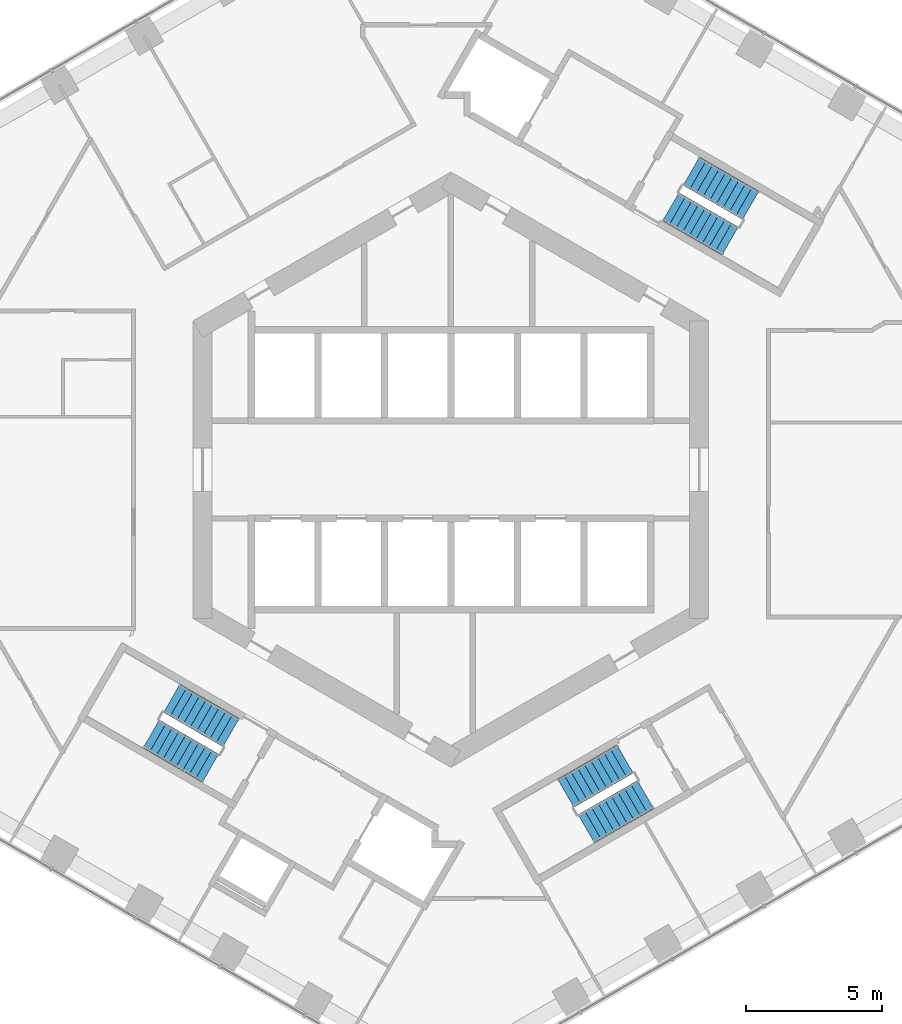
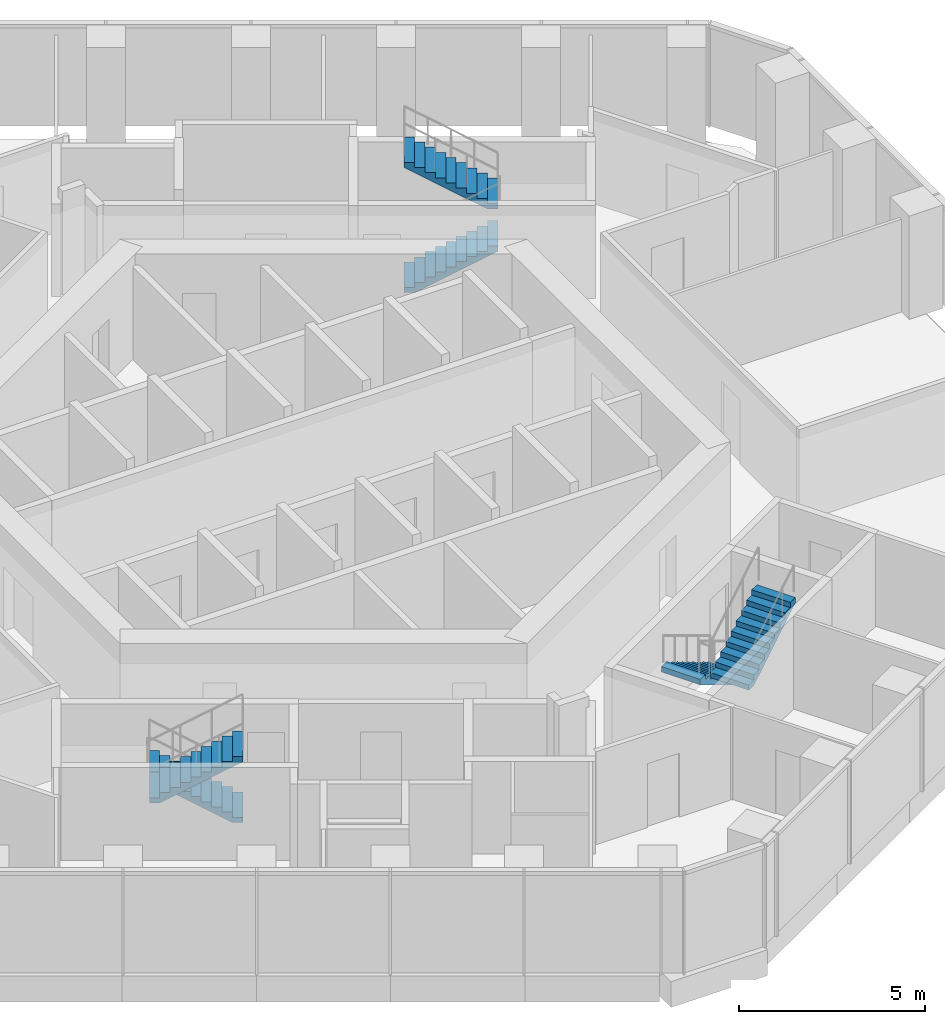
# One storey, part 17 of 19: 6 stair flights, 3 elements without a shape of their own.
"""IFC4 building model written with IfcOpenShell, lengths in metres."""

from ifc_helpers import new_model, si_unit, direction, frame, origin, place, context, subcontext, project, spatial, triangles, material, type_object, element, aggregate, save


model = new_model("IFC4")

# Units and contexts
model_context = context("Model", 3, precision=1e-05, world=origin(), true_north=direction((0.0, 1.0)))
body_context = subcontext(model_context, "Body", "Model", "MODEL_VIEW")
ifc_project = project(units=[si_unit("LENGTHUNIT", "METRE"), si_unit("AREAUNIT", "SQUARE_METRE"), si_unit("VOLUMEUNIT", "CUBIC_METRE"), si_unit("PLANEANGLEUNIT", "RADIAN"), si_unit("MASSUNIT", "GRAM", prefix="KILO")], contexts=[model_context])

# Site, building, storey
site_placement = place(None, origin())
site = spatial("IfcSite", under=ifc_project, at=site_placement, CompositionType="ELEMENT")
building_placement = place(site_placement, origin())
building = spatial("IfcBuilding", under=site, at=building_placement, Name="Ayvan Gate Tower", CompositionType="ELEMENT")
storey_placement = place(building_placement, frame((0.0, 0.0, 106.89990234375)))
storey = spatial("IfcBuildingStorey", under=building, at=storey_placement, Name="L28", CompositionType="ELEMENT", Elevation=106.89990234375)

# Stair, stair flights
ifc_material = material(Name="Concrete C40/50", Category="concrete")
stair_type = type_object("IfcStairType", Name="ST-EXIT", PredefinedType="HALF_TURN_STAIR", material=ifc_material)
stair_1_placement = place(storey_placement, origin())
stair_1 = element("IfcStair", 1, at=stair_1_placement, inside=storey, type_object=stair_type, Name="L28 Exit Stair S1", PredefinedType="HALF_TURN_STAIR")
stair_flight_type = type_object("IfcStairFlightType", Name="SFL-EXIT", PredefinedType="STRAIGHT", material=ifc_material)
stair_flight_1_placement = place(storey_placement, frame((8.106201171875, 9.690185546875, 0.0), z_axis=(0.0, 0.0, 1.0), x_axis=(0.866025403784, -0.5, 0.0)))
stair_flight_1 = element("IfcStairFlight", 2, at=stair_flight_1_placement, type_object=stair_flight_type, Name="STS1 flight 1", NumberOfRisers=10, NumberOfTreads=9, PredefinedType="STRAIGHT", RiserHeight=0.17, TreadLength=0.28, context=body_context, shape_type="Tessellation", body=[
    triangles([(0.288841, -0.599976, 0.0), (2.5205, -0.599976, 1.354936), (2.5205, -0.599976, 1.53), (2.24, -0.599976, 1.53), (2.24, -0.599976, 1.36), (1.96, -0.599976, 1.36), (1.96, -0.599976, 1.19), (1.68, -0.599976, 1.19), (1.68, -0.599976, 1.02), (1.4, -0.599976, 1.02), (1.4, -0.599976, 0.85), (1.12, -0.599976, 0.85), (1.12, -0.599976, 0.68), (0.84, -0.599976, 0.68), (0.84, -0.599976, 0.51), (0.56, -0.599976, 0.51), (0.56, -0.599976, 0.34), (0.28, -0.599976, 0.34), (0.28, -0.599976, 0.17), (-0.0005, -0.599976, 0.17), (-0.0005, -0.599976, 0.0), (0.288841, 0.0, 0.0), (2.5205, 0.0, 1.354936), (2.5205, 0.0, 1.53), (2.24, 0.0, 1.53), (2.24, 0.0, 1.36), (1.96, 0.0, 1.36), (1.96, 0.0, 1.19), (1.68, 0.0, 1.19), (1.68, 0.0, 1.02), (1.4, 0.0, 1.02), (1.4, 0.0, 0.85), (1.12, 0.0, 0.85), (1.12, 0.0, 0.68), (0.84, 0.0, 0.68), (0.84, 0.0, 0.51), (0.56, 0.0, 0.51), (0.56, 0.0, 0.34), (0.28, 0.0, 0.34), (0.28, 0.0, 0.17), (-0.0005, 0.0, 0.17), (-0.0005, 0.0, 0.0), (0.288841, 0.599976, 0.0), (2.5205, 0.599976, 1.354936), (2.5205, 0.599976, 1.53), (2.24, 0.599976, 1.53), (2.24, 0.599976, 1.36), (1.96, 0.599976, 1.36), (1.96, 0.599976, 1.19), (1.68, 0.599976, 1.19), (1.68, 0.599976, 1.02), (1.4, 0.599976, 1.02), (1.4, 0.599976, 0.85), (1.12, 0.599976, 0.85), (1.12, 0.599976, 0.68), (0.84, 0.599976, 0.68), (0.84, 0.599976, 0.51), (0.56, 0.599976, 0.51), (0.56, 0.599976, 0.34), (0.28, 0.599976, 0.34), (0.28, 0.599976, 0.17), (-0.0005, 0.599976, 0.17), (-0.0005, 0.599976, 0.0)], [[21, 1, 2], [63, 44, 43], [2, 3, 4], [44, 46, 45], [2, 4, 5], [44, 47, 46], [2, 5, 6], [44, 48, 47], [2, 6, 7], [44, 49, 48], [7, 8, 9], [49, 51, 50], [2, 7, 9], [44, 51, 49], [9, 10, 11], [51, 53, 52], [2, 9, 11], [44, 53, 51], [11, 12, 13], [53, 55, 54], [2, 11, 13], [44, 55, 53], [13, 14, 15], [55, 57, 56], [2, 13, 15], [44, 57, 55], [15, 16, 17], [57, 59, 58], [2, 15, 17], [44, 59, 57], [17, 18, 19], [59, 61, 60], [2, 17, 19], [44, 61, 59], [21, 2, 19], [63, 61, 44], [19, 20, 21], [61, 63, 62], [1, 22, 23], [1, 23, 2], [43, 23, 22], [43, 44, 23], [2, 23, 24], [2, 24, 3], [44, 24, 23], [44, 45, 24], [3, 24, 25], [3, 25, 4], [45, 25, 24], [45, 46, 25], [4, 25, 26], [4, 26, 5], [46, 26, 25], [46, 47, 26], [5, 26, 27], [5, 27, 6], [47, 27, 26], [47, 48, 27], [6, 27, 28], [6, 28, 7], [48, 28, 27], [48, 49, 28], [7, 28, 29], [7, 29, 8], [49, 29, 28], [49, 50, 29], [8, 29, 30], [8, 30, 9], [50, 30, 29], [50, 51, 30], [9, 30, 31], [9, 31, 10], [51, 31, 30], [51, 52, 31], [10, 31, 32], [10, 32, 11], [52, 32, 31], [52, 53, 32], [11, 32, 33], [11, 33, 12], [53, 33, 32], [53, 54, 33], [12, 33, 34], [12, 34, 13], [54, 34, 33], [54, 55, 34], [13, 34, 35], [13, 35, 14], [55, 35, 34], [55, 56, 35], [14, 35, 36], [14, 36, 15], [56, 36, 35], [56, 57, 36], [15, 36, 37], [15, 37, 16], [57, 37, 36], [57, 58, 37], [16, 37, 38], [16, 38, 17], [58, 38, 37], [58, 59, 38], [17, 38, 39], [17, 39, 18], [59, 39, 38], [59, 60, 39], [18, 39, 40], [18, 40, 19], [60, 40, 39], [60, 61, 40], [19, 40, 41], [19, 41, 20], [61, 41, 40], [61, 62, 41], [20, 41, 42], [20, 42, 21], [62, 42, 41], [62, 63, 42], [21, 42, 22], [21, 22, 1], [63, 22, 42], [63, 43, 22]], closed=True),
])
stair_flight_2_placement = place(storey_placement, frame((11.04345703125, 9.73779296875, 1.7001953125), z_axis=(0.0, 0.0, 1.0), x_axis=(-0.866025403784, 0.5, 0.0)))
stair_flight_2 = element("IfcStairFlight", 3, at=stair_flight_2_placement, type_object=stair_flight_type, Name="STS1 flight 2", NumberOfRisers=10, NumberOfTreads=9, PredefinedType="STRAIGHT", RiserHeight=0.17, TreadLength=0.28, context=body_context, shape_type="Tessellation", body=[
    triangles([(0.288841, -0.599976, 0.0), (2.5205, -0.599976, 1.354936), (2.5205, -0.599976, 1.53), (2.24, -0.599976, 1.53), (2.24, -0.599976, 1.36), (1.96, -0.599976, 1.36), (1.96, -0.599976, 1.19), (1.68, -0.599976, 1.19), (1.68, -0.599976, 1.02), (1.4, -0.599976, 1.02), (1.4, -0.599976, 0.85), (1.12, -0.599976, 0.85), (1.12, -0.599976, 0.68), (0.84, -0.599976, 0.68), (0.84, -0.599976, 0.51), (0.56, -0.599976, 0.51), (0.56, -0.599976, 0.34), (0.28, -0.599976, 0.34), (0.28, -0.599976, 0.17), (-0.0005, -0.599976, 0.17), (-0.0005, -0.599976, 0.0), (0.288841, 0.0, 0.0), (2.5205, 0.0, 1.354936), (2.5205, 0.0, 1.53), (2.24, 0.0, 1.53), (2.24, 0.0, 1.36), (1.96, 0.0, 1.36), (1.96, 0.0, 1.19), (1.68, 0.0, 1.19), (1.68, 0.0, 1.02), (1.4, 0.0, 1.02), (1.4, 0.0, 0.85), (1.12, 0.0, 0.85), (1.12, 0.0, 0.68), (0.84, 0.0, 0.68), (0.84, 0.0, 0.51), (0.56, 0.0, 0.51), (0.56, 0.0, 0.34), (0.28, 0.0, 0.34), (0.28, 0.0, 0.17), (-0.0005, 0.0, 0.17), (-0.0005, 0.0, 0.0), (0.288841, 0.599976, 0.0), (2.5205, 0.599976, 1.354936), (2.5205, 0.599976, 1.53), (2.24, 0.599976, 1.53), (2.24, 0.599976, 1.36), (1.96, 0.599976, 1.36), (1.96, 0.599976, 1.19), (1.68, 0.599976, 1.19), (1.68, 0.599976, 1.02), (1.4, 0.599976, 1.02), (1.4, 0.599976, 0.85), (1.12, 0.599976, 0.85), (1.12, 0.599976, 0.68), (0.84, 0.599976, 0.68), (0.84, 0.599976, 0.51), (0.56, 0.599976, 0.51), (0.56, 0.599976, 0.34), (0.28, 0.599976, 0.34), (0.28, 0.599976, 0.17), (-0.0005, 0.599976, 0.17), (-0.0005, 0.599976, 0.0)], [[21, 1, 2], [63, 44, 43], [2, 3, 4], [44, 46, 45], [2, 4, 5], [44, 47, 46], [2, 5, 6], [44, 48, 47], [2, 6, 7], [44, 49, 48], [7, 8, 9], [49, 51, 50], [2, 7, 9], [44, 51, 49], [9, 10, 11], [51, 53, 52], [2, 9, 11], [44, 53, 51], [11, 12, 13], [53, 55, 54], [2, 11, 13], [44, 55, 53], [13, 14, 15], [55, 57, 56], [2, 13, 15], [44, 57, 55], [15, 16, 17], [57, 59, 58], [2, 15, 17], [44, 59, 57], [17, 18, 19], [59, 61, 60], [2, 17, 19], [44, 61, 59], [21, 2, 19], [63, 61, 44], [19, 20, 21], [61, 63, 62], [1, 22, 23], [1, 23, 2], [43, 23, 22], [43, 44, 23], [2, 23, 24], [2, 24, 3], [44, 24, 23], [44, 45, 24], [3, 24, 25], [3, 25, 4], [45, 25, 24], [45, 46, 25], [4, 25, 26], [4, 26, 5], [46, 26, 25], [46, 47, 26], [5, 26, 27], [5, 27, 6], [47, 27, 26], [47, 48, 27], [6, 27, 28], [6, 28, 7], [48, 28, 27], [48, 49, 28], [7, 28, 29], [7, 29, 8], [49, 29, 28], [49, 50, 29], [8, 29, 30], [8, 30, 9], [50, 30, 29], [50, 51, 30], [9, 30, 31], [9, 31, 10], [51, 31, 30], [51, 52, 31], [10, 31, 32], [10, 32, 11], [52, 32, 31], [52, 53, 32], [11, 32, 33], [11, 33, 12], [53, 33, 32], [53, 54, 33], [12, 33, 34], [12, 34, 13], [54, 34, 33], [54, 55, 34], [13, 34, 35], [13, 35, 14], [55, 35, 34], [55, 56, 35], [14, 35, 36], [14, 36, 15], [56, 36, 35], [56, 57, 36], [15, 36, 37], [15, 37, 16], [57, 37, 36], [57, 58, 37], [16, 37, 38], [16, 38, 17], [58, 38, 37], [58, 59, 38], [17, 38, 39], [17, 39, 18], [59, 39, 38], [59, 60, 39], [18, 39, 40], [18, 40, 19], [60, 40, 39], [60, 61, 40], [19, 40, 41], [19, 41, 20], [61, 41, 40], [61, 62, 41], [20, 41, 42], [20, 42, 21], [62, 42, 41], [62, 63, 42], [21, 42, 22], [21, 22, 1], [63, 22, 42], [63, 43, 22]], closed=True),
])
aggregate(stair_1, [stair_flight_1, stair_flight_2])

stair_2_placement = place(storey_placement, origin())
stair_2 = element("IfcStair", 4, at=stair_2_placement, inside=storey, type_object=stair_type, Name="L28 Exit Stair S2", PredefinedType="HALF_TURN_STAIR")
stair_flight_3_placement = place(storey_placement, frame((-8.106201171875, -9.690185546875, 0.0), z_axis=(0.0, 0.0, 1.0), x_axis=(-0.866025403784, 0.5, 0.0)))
stair_flight_3 = element("IfcStairFlight", 5, at=stair_flight_3_placement, type_object=stair_flight_type, Name="STS2 flight 1", NumberOfRisers=10, NumberOfTreads=9, PredefinedType="STRAIGHT", RiserHeight=0.17, TreadLength=0.28, context=body_context, shape_type="Tessellation", body=[
    triangles([(0.288841, -0.599976, 0.0), (2.5205, -0.599976, 1.354936), (2.5205, -0.599976, 1.53), (2.24, -0.599976, 1.53), (2.24, -0.599976, 1.36), (1.96, -0.599976, 1.36), (1.96, -0.599976, 1.19), (1.68, -0.599976, 1.19), (1.68, -0.599976, 1.02), (1.4, -0.599976, 1.02), (1.4, -0.599976, 0.85), (1.12, -0.599976, 0.85), (1.12, -0.599976, 0.68), (0.84, -0.599976, 0.68), (0.84, -0.599976, 0.51), (0.56, -0.599976, 0.51), (0.56, -0.599976, 0.34), (0.28, -0.599976, 0.34), (0.28, -0.599976, 0.17), (-0.0005, -0.599976, 0.17), (-0.0005, -0.599976, 0.0), (0.288841, 0.0, 0.0), (2.5205, 0.0, 1.354936), (2.5205, 0.0, 1.53), (2.24, 0.0, 1.53), (2.24, 0.0, 1.36), (1.96, 0.0, 1.36), (1.96, 0.0, 1.19), (1.68, 0.0, 1.19), (1.68, 0.0, 1.02), (1.4, 0.0, 1.02), (1.4, 0.0, 0.85), (1.12, 0.0, 0.85), (1.12, 0.0, 0.68), (0.84, 0.0, 0.68), (0.84, 0.0, 0.51), (0.56, 0.0, 0.51), (0.56, 0.0, 0.34), (0.28, 0.0, 0.34), (0.28, 0.0, 0.17), (-0.0005, 0.0, 0.17), (-0.0005, 0.0, 0.0), (0.288841, 0.599976, 0.0), (2.5205, 0.599976, 1.354936), (2.5205, 0.599976, 1.53), (2.24, 0.599976, 1.53), (2.24, 0.599976, 1.36), (1.96, 0.599976, 1.36), (1.96, 0.599976, 1.19), (1.68, 0.599976, 1.19), (1.68, 0.599976, 1.02), (1.4, 0.599976, 1.02), (1.4, 0.599976, 0.85), (1.12, 0.599976, 0.85), (1.12, 0.599976, 0.68), (0.84, 0.599976, 0.68), (0.84, 0.599976, 0.51), (0.56, 0.599976, 0.51), (0.56, 0.599976, 0.34), (0.28, 0.599976, 0.34), (0.28, 0.599976, 0.17), (-0.0005, 0.599976, 0.17), (-0.0005, 0.599976, 0.0)], [[21, 1, 2], [63, 44, 43], [2, 3, 4], [44, 46, 45], [2, 4, 5], [44, 47, 46], [2, 5, 6], [44, 48, 47], [2, 6, 7], [44, 49, 48], [7, 8, 9], [49, 51, 50], [2, 7, 9], [44, 51, 49], [9, 10, 11], [51, 53, 52], [2, 9, 11], [44, 53, 51], [11, 12, 13], [53, 55, 54], [2, 11, 13], [44, 55, 53], [13, 14, 15], [55, 57, 56], [2, 13, 15], [44, 57, 55], [15, 16, 17], [57, 59, 58], [2, 15, 17], [44, 59, 57], [17, 18, 19], [59, 61, 60], [2, 17, 19], [44, 61, 59], [21, 2, 19], [63, 61, 44], [19, 20, 21], [61, 63, 62], [1, 22, 23], [1, 23, 2], [43, 23, 22], [43, 44, 23], [2, 23, 24], [2, 24, 3], [44, 24, 23], [44, 45, 24], [3, 24, 25], [3, 25, 4], [45, 25, 24], [45, 46, 25], [4, 25, 26], [4, 26, 5], [46, 26, 25], [46, 47, 26], [5, 26, 27], [5, 27, 6], [47, 27, 26], [47, 48, 27], [6, 27, 28], [6, 28, 7], [48, 28, 27], [48, 49, 28], [7, 28, 29], [7, 29, 8], [49, 29, 28], [49, 50, 29], [8, 29, 30], [8, 30, 9], [50, 30, 29], [50, 51, 30], [9, 30, 31], [9, 31, 10], [51, 31, 30], [51, 52, 31], [10, 31, 32], [10, 32, 11], [52, 32, 31], [52, 53, 32], [11, 32, 33], [11, 33, 12], [53, 33, 32], [53, 54, 33], [12, 33, 34], [12, 34, 13], [54, 34, 33], [54, 55, 34], [13, 34, 35], [13, 35, 14], [55, 35, 34], [55, 56, 35], [14, 35, 36], [14, 36, 15], [56, 36, 35], [56, 57, 36], [15, 36, 37], [15, 37, 16], [57, 37, 36], [57, 58, 37], [16, 37, 38], [16, 38, 17], [58, 38, 37], [58, 59, 38], [17, 38, 39], [17, 39, 18], [59, 39, 38], [59, 60, 39], [18, 39, 40], [18, 40, 19], [60, 40, 39], [60, 61, 40], [19, 40, 41], [19, 41, 20], [61, 41, 40], [61, 62, 41], [20, 41, 42], [20, 42, 21], [62, 42, 41], [62, 63, 42], [21, 42, 22], [21, 22, 1], [63, 22, 42], [63, 43, 22]], closed=True),
])
stair_flight_4_placement = place(storey_placement, frame((-11.04345703125, -9.73779296875, 1.7001953125), z_axis=(0.0, 0.0, 1.0), x_axis=(0.866025403784, -0.5, 0.0)))
stair_flight_4 = element("IfcStairFlight", 6, at=stair_flight_4_placement, type_object=stair_flight_type, Name="STS2 flight 2", NumberOfRisers=10, NumberOfTreads=9, PredefinedType="STRAIGHT", RiserHeight=0.17, TreadLength=0.28, context=body_context, shape_type="Tessellation", body=[
    triangles([(0.288841, -0.599976, 0.0), (2.5205, -0.599976, 1.354936), (2.5205, -0.599976, 1.53), (2.24, -0.599976, 1.53), (2.24, -0.599976, 1.36), (1.96, -0.599976, 1.36), (1.96, -0.599976, 1.19), (1.68, -0.599976, 1.19), (1.68, -0.599976, 1.02), (1.4, -0.599976, 1.02), (1.4, -0.599976, 0.85), (1.12, -0.599976, 0.85), (1.12, -0.599976, 0.68), (0.84, -0.599976, 0.68), (0.84, -0.599976, 0.51), (0.56, -0.599976, 0.51), (0.56, -0.599976, 0.34), (0.28, -0.599976, 0.34), (0.28, -0.599976, 0.17), (-0.0005, -0.599976, 0.17), (-0.0005, -0.599976, 0.0), (0.288841, 0.0, 0.0), (2.5205, 0.0, 1.354936), (2.5205, 0.0, 1.53), (2.24, 0.0, 1.53), (2.24, 0.0, 1.36), (1.96, 0.0, 1.36), (1.96, 0.0, 1.19), (1.68, 0.0, 1.19), (1.68, 0.0, 1.02), (1.4, 0.0, 1.02), (1.4, 0.0, 0.85), (1.12, 0.0, 0.85), (1.12, 0.0, 0.68), (0.84, 0.0, 0.68), (0.84, 0.0, 0.51), (0.56, 0.0, 0.51), (0.56, 0.0, 0.34), (0.28, 0.0, 0.34), (0.28, 0.0, 0.17), (-0.0005, 0.0, 0.17), (-0.0005, 0.0, 0.0), (0.288841, 0.599976, 0.0), (2.5205, 0.599976, 1.354936), (2.5205, 0.599976, 1.53), (2.24, 0.599976, 1.53), (2.24, 0.599976, 1.36), (1.96, 0.599976, 1.36), (1.96, 0.599976, 1.19), (1.68, 0.599976, 1.19), (1.68, 0.599976, 1.02), (1.4, 0.599976, 1.02), (1.4, 0.599976, 0.85), (1.12, 0.599976, 0.85), (1.12, 0.599976, 0.68), (0.84, 0.599976, 0.68), (0.84, 0.599976, 0.51), (0.56, 0.599976, 0.51), (0.56, 0.599976, 0.34), (0.28, 0.599976, 0.34), (0.28, 0.599976, 0.17), (-0.0005, 0.599976, 0.17), (-0.0005, 0.599976, 0.0)], [[21, 1, 2], [63, 44, 43], [2, 3, 4], [44, 46, 45], [2, 4, 5], [44, 47, 46], [2, 5, 6], [44, 48, 47], [2, 6, 7], [44, 49, 48], [7, 8, 9], [49, 51, 50], [2, 7, 9], [44, 51, 49], [9, 10, 11], [51, 53, 52], [2, 9, 11], [44, 53, 51], [11, 12, 13], [53, 55, 54], [2, 11, 13], [44, 55, 53], [13, 14, 15], [55, 57, 56], [2, 13, 15], [44, 57, 55], [15, 16, 17], [57, 59, 58], [2, 15, 17], [44, 59, 57], [17, 18, 19], [59, 61, 60], [2, 17, 19], [44, 61, 59], [21, 2, 19], [63, 61, 44], [19, 20, 21], [61, 63, 62], [1, 22, 23], [1, 23, 2], [43, 23, 22], [43, 44, 23], [2, 23, 24], [2, 24, 3], [44, 24, 23], [44, 45, 24], [3, 24, 25], [3, 25, 4], [45, 25, 24], [45, 46, 25], [4, 25, 26], [4, 26, 5], [46, 26, 25], [46, 47, 26], [5, 26, 27], [5, 27, 6], [47, 27, 26], [47, 48, 27], [6, 27, 28], [6, 28, 7], [48, 28, 27], [48, 49, 28], [7, 28, 29], [7, 29, 8], [49, 29, 28], [49, 50, 29], [8, 29, 30], [8, 30, 9], [50, 30, 29], [50, 51, 30], [9, 30, 31], [9, 31, 10], [51, 31, 30], [51, 52, 31], [10, 31, 32], [10, 32, 11], [52, 32, 31], [52, 53, 32], [11, 32, 33], [11, 33, 12], [53, 33, 32], [53, 54, 33], [12, 33, 34], [12, 34, 13], [54, 34, 33], [54, 55, 34], [13, 34, 35], [13, 35, 14], [55, 35, 34], [55, 56, 35], [14, 35, 36], [14, 36, 15], [56, 36, 35], [56, 57, 36], [15, 36, 37], [15, 37, 16], [57, 37, 36], [57, 58, 37], [16, 37, 38], [16, 38, 17], [58, 38, 37], [58, 59, 38], [17, 38, 39], [17, 39, 18], [59, 39, 38], [59, 60, 39], [18, 39, 40], [18, 40, 19], [60, 40, 39], [60, 61, 40], [19, 40, 41], [19, 41, 20], [61, 41, 40], [61, 62, 41], [20, 41, 42], [20, 42, 21], [62, 42, 41], [62, 63, 42], [21, 42, 22], [21, 22, 1], [63, 22, 42], [63, 43, 22]], closed=True),
])
aggregate(stair_2, [stair_flight_3, stair_flight_4])

stair_3_placement = place(storey_placement, origin())
stair_3 = element("IfcStair", 7, at=stair_3_placement, inside=storey, type_object=stair_type, Name="L28 Exit Stair S3", PredefinedType="HALF_TURN_STAIR")
stair_flight_5_placement = place(storey_placement, frame((6.417236328125, -10.665283203125, 0.0), z_axis=(0.0, 0.0, 1.0), x_axis=(-0.866025403784, -0.5, 0.0)))
stair_flight_5 = element("IfcStairFlight", 8, at=stair_flight_5_placement, type_object=stair_flight_type, Name="STS3 flight 1", NumberOfRisers=10, NumberOfTreads=9, PredefinedType="STRAIGHT", RiserHeight=0.17, TreadLength=0.28, context=body_context, shape_type="Tessellation", body=[
    triangles([(0.288841, -0.599976, 0.0), (2.5205, -0.599976, 1.354936), (2.5205, -0.599976, 1.53), (2.24, -0.599976, 1.53), (2.24, -0.599976, 1.36), (1.96, -0.599976, 1.36), (1.96, -0.599976, 1.19), (1.68, -0.599976, 1.19), (1.68, -0.599976, 1.02), (1.4, -0.599976, 1.02), (1.4, -0.599976, 0.85), (1.12, -0.599976, 0.85), (1.12, -0.599976, 0.68), (0.84, -0.599976, 0.68), (0.84, -0.599976, 0.51), (0.56, -0.599976, 0.51), (0.56, -0.599976, 0.34), (0.28, -0.599976, 0.34), (0.28, -0.599976, 0.17), (-0.0005, -0.599976, 0.17), (-0.0005, -0.599976, 0.0), (0.288841, 0.0, 0.0), (2.5205, 0.0, 1.354936), (2.5205, 0.0, 1.53), (2.24, 0.0, 1.53), (2.24, 0.0, 1.36), (1.96, 0.0, 1.36), (1.96, 0.0, 1.19), (1.68, 0.0, 1.19), (1.68, 0.0, 1.02), (1.4, 0.0, 1.02), (1.4, 0.0, 0.85), (1.12, 0.0, 0.85), (1.12, 0.0, 0.68), (0.84, 0.0, 0.68), (0.84, 0.0, 0.51), (0.56, 0.0, 0.51), (0.56, 0.0, 0.34), (0.28, 0.0, 0.34), (0.28, 0.0, 0.17), (-0.0005, 0.0, 0.17), (-0.0005, 0.0, 0.0), (0.288841, 0.599976, 0.0), (2.5205, 0.599976, 1.354936), (2.5205, 0.599976, 1.53), (2.24, 0.599976, 1.53), (2.24, 0.599976, 1.36), (1.96, 0.599976, 1.36), (1.96, 0.599976, 1.19), (1.68, 0.599976, 1.19), (1.68, 0.599976, 1.02), (1.4, 0.599976, 1.02), (1.4, 0.599976, 0.85), (1.12, 0.599976, 0.85), (1.12, 0.599976, 0.68), (0.84, 0.599976, 0.68), (0.84, 0.599976, 0.51), (0.56, 0.599976, 0.51), (0.56, 0.599976, 0.34), (0.28, 0.599976, 0.34), (0.28, 0.599976, 0.17), (-0.0005, 0.599976, 0.17), (-0.0005, 0.599976, 0.0)], [[21, 1, 2], [63, 44, 43], [2, 3, 4], [44, 46, 45], [2, 4, 5], [44, 47, 46], [2, 5, 6], [44, 48, 47], [2, 6, 7], [44, 49, 48], [7, 8, 9], [49, 51, 50], [2, 7, 9], [44, 51, 49], [9, 10, 11], [51, 53, 52], [2, 9, 11], [44, 53, 51], [11, 12, 13], [53, 55, 54], [2, 11, 13], [44, 55, 53], [13, 14, 15], [55, 57, 56], [2, 13, 15], [44, 57, 55], [15, 16, 17], [57, 59, 58], [2, 15, 17], [44, 59, 57], [17, 18, 19], [59, 61, 60], [2, 17, 19], [44, 61, 59], [21, 2, 19], [63, 61, 44], [19, 20, 21], [61, 63, 62], [1, 22, 23], [1, 23, 2], [43, 23, 22], [43, 44, 23], [2, 23, 24], [2, 24, 3], [44, 24, 23], [44, 45, 24], [3, 24, 25], [3, 25, 4], [45, 25, 24], [45, 46, 25], [4, 25, 26], [4, 26, 5], [46, 26, 25], [46, 47, 26], [5, 26, 27], [5, 27, 6], [47, 27, 26], [47, 48, 27], [6, 27, 28], [6, 28, 7], [48, 28, 27], [48, 49, 28], [7, 28, 29], [7, 29, 8], [49, 29, 28], [49, 50, 29], [8, 29, 30], [8, 30, 9], [50, 30, 29], [50, 51, 30], [9, 30, 31], [9, 31, 10], [51, 31, 30], [51, 52, 31], [10, 31, 32], [10, 32, 11], [52, 32, 31], [52, 53, 32], [11, 32, 33], [11, 33, 12], [53, 33, 32], [53, 54, 33], [12, 33, 34], [12, 34, 13], [54, 34, 33], [54, 55, 34], [13, 34, 35], [13, 35, 14], [55, 35, 34], [55, 56, 35], [14, 35, 36], [14, 36, 15], [56, 36, 35], [56, 57, 36], [15, 36, 37], [15, 37, 16], [57, 37, 36], [57, 58, 37], [16, 37, 38], [16, 38, 17], [58, 38, 37], [58, 59, 38], [17, 38, 39], [17, 39, 18], [59, 39, 38], [59, 60, 39], [18, 39, 40], [18, 40, 19], [60, 40, 39], [60, 61, 40], [19, 40, 41], [19, 41, 20], [61, 41, 40], [61, 62, 41], [20, 41, 42], [20, 42, 21], [62, 42, 41], [62, 63, 42], [21, 42, 22], [21, 22, 1], [63, 22, 42], [63, 43, 22]], closed=True),
])
stair_flight_6_placement = place(storey_placement, frame((4.989990234375, -13.23291015625, 1.7001953125), z_axis=(0.0, 0.0, 1.0), x_axis=(0.866025403784, 0.5, 0.0)))
stair_flight_6 = element("IfcStairFlight", 9, at=stair_flight_6_placement, type_object=stair_flight_type, Name="STS3 flight 2", NumberOfRisers=10, NumberOfTreads=9, PredefinedType="STRAIGHT", RiserHeight=0.17, TreadLength=0.28, context=body_context, shape_type="Tessellation", body=[
    triangles([(0.288841, -0.599976, 0.0), (2.5205, -0.599976, 1.354936), (2.5205, -0.599976, 1.53), (2.24, -0.599976, 1.53), (2.24, -0.599976, 1.36), (1.96, -0.599976, 1.36), (1.96, -0.599976, 1.19), (1.68, -0.599976, 1.19), (1.68, -0.599976, 1.02), (1.4, -0.599976, 1.02), (1.4, -0.599976, 0.85), (1.12, -0.599976, 0.85), (1.12, -0.599976, 0.68), (0.84, -0.599976, 0.68), (0.84, -0.599976, 0.51), (0.56, -0.599976, 0.51), (0.56, -0.599976, 0.34), (0.28, -0.599976, 0.34), (0.28, -0.599976, 0.17), (-0.0005, -0.599976, 0.17), (-0.0005, -0.599976, 0.0), (0.288841, 0.0, 0.0), (2.5205, 0.0, 1.354936), (2.5205, 0.0, 1.53), (2.24, 0.0, 1.53), (2.24, 0.0, 1.36), (1.96, 0.0, 1.36), (1.96, 0.0, 1.19), (1.68, 0.0, 1.19), (1.68, 0.0, 1.02), (1.4, 0.0, 1.02), (1.4, 0.0, 0.85), (1.12, 0.0, 0.85), (1.12, 0.0, 0.68), (0.84, 0.0, 0.68), (0.84, 0.0, 0.51), (0.56, 0.0, 0.51), (0.56, 0.0, 0.34), (0.28, 0.0, 0.34), (0.28, 0.0, 0.17), (-0.0005, 0.0, 0.17), (-0.0005, 0.0, 0.0), (0.288841, 0.599976, 0.0), (2.5205, 0.599976, 1.354936), (2.5205, 0.599976, 1.53), (2.24, 0.599976, 1.53), (2.24, 0.599976, 1.36), (1.96, 0.599976, 1.36), (1.96, 0.599976, 1.19), (1.68, 0.599976, 1.19), (1.68, 0.599976, 1.02), (1.4, 0.599976, 1.02), (1.4, 0.599976, 0.85), (1.12, 0.599976, 0.85), (1.12, 0.599976, 0.68), (0.84, 0.599976, 0.68), (0.84, 0.599976, 0.51), (0.56, 0.599976, 0.51), (0.56, 0.599976, 0.34), (0.28, 0.599976, 0.34), (0.28, 0.599976, 0.17), (-0.0005, 0.599976, 0.17), (-0.0005, 0.599976, 0.0)], [[21, 1, 2], [63, 44, 43], [2, 3, 4], [44, 46, 45], [2, 4, 5], [44, 47, 46], [2, 5, 6], [44, 48, 47], [2, 6, 7], [44, 49, 48], [7, 8, 9], [49, 51, 50], [2, 7, 9], [44, 51, 49], [9, 10, 11], [51, 53, 52], [2, 9, 11], [44, 53, 51], [11, 12, 13], [53, 55, 54], [2, 11, 13], [44, 55, 53], [13, 14, 15], [55, 57, 56], [2, 13, 15], [44, 57, 55], [15, 16, 17], [57, 59, 58], [2, 15, 17], [44, 59, 57], [17, 18, 19], [59, 61, 60], [2, 17, 19], [44, 61, 59], [21, 2, 19], [63, 61, 44], [19, 20, 21], [61, 63, 62], [1, 22, 23], [1, 23, 2], [43, 23, 22], [43, 44, 23], [2, 23, 24], [2, 24, 3], [44, 24, 23], [44, 45, 24], [3, 24, 25], [3, 25, 4], [45, 25, 24], [45, 46, 25], [4, 25, 26], [4, 26, 5], [46, 26, 25], [46, 47, 26], [5, 26, 27], [5, 27, 6], [47, 27, 26], [47, 48, 27], [6, 27, 28], [6, 28, 7], [48, 28, 27], [48, 49, 28], [7, 28, 29], [7, 29, 8], [49, 29, 28], [49, 50, 29], [8, 29, 30], [8, 30, 9], [50, 30, 29], [50, 51, 30], [9, 30, 31], [9, 31, 10], [51, 31, 30], [51, 52, 31], [10, 31, 32], [10, 32, 11], [52, 32, 31], [52, 53, 32], [11, 32, 33], [11, 33, 12], [53, 33, 32], [53, 54, 33], [12, 33, 34], [12, 34, 13], [54, 34, 33], [54, 55, 34], [13, 34, 35], [13, 35, 14], [55, 35, 34], [55, 56, 35], [14, 35, 36], [14, 36, 15], [56, 36, 35], [56, 57, 36], [15, 36, 37], [15, 37, 16], [57, 37, 36], [57, 58, 37], [16, 37, 38], [16, 38, 17], [58, 38, 37], [58, 59, 38], [17, 38, 39], [17, 39, 18], [59, 39, 38], [59, 60, 39], [18, 39, 40], [18, 40, 19], [60, 40, 39], [60, 61, 40], [19, 40, 41], [19, 41, 20], [61, 41, 40], [61, 62, 41], [20, 41, 42], [20, 42, 21], [62, 42, 41], [62, 63, 42], [21, 42, 22], [21, 22, 1], [63, 22, 42], [63, 43, 22]], closed=True),
])
aggregate(stair_3, [stair_flight_5, stair_flight_6])

save(model, "model.ifc")
